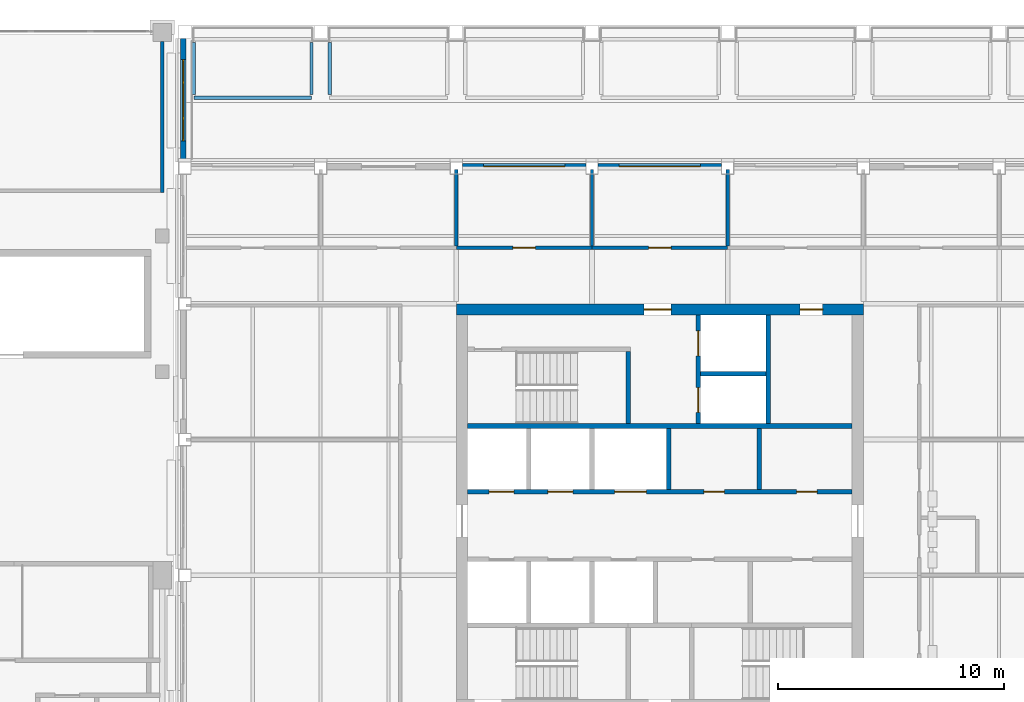
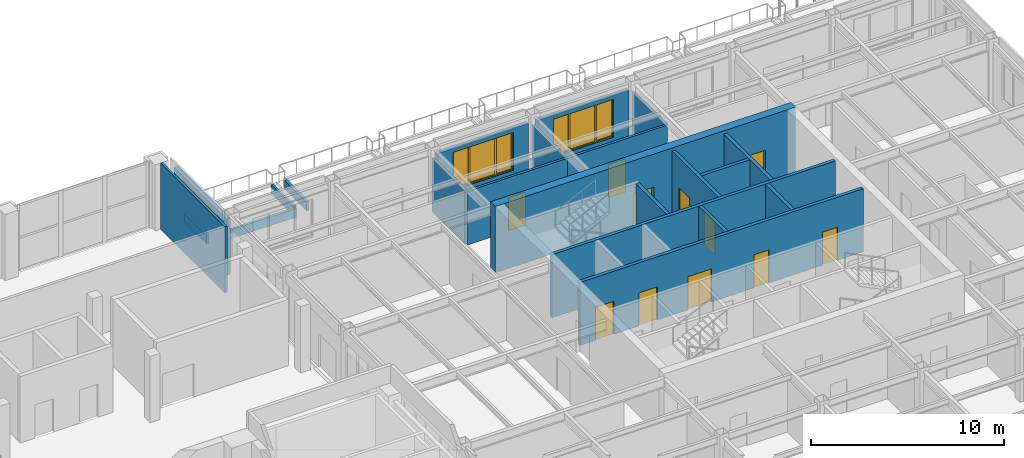
# One storey, part 25 of 39: 22 walls, 11 doors, 3 windows, 14 openings.
"""IFC4 building model written with IfcOpenShell, lengths in metres."""

import ifcopenshell
import ifcopenshell.guid

model = None  # the IFC model being written
_history = None  # IfcOwnerHistory: only IFC2X3 demands one
_inside = {}  # id of a spatial element -> (the spatial element, [elements in it])
_under = {}  # id of a project, library or spatial element -> (it, [spatial elements below it])
_declared = {}  # id of a project -> (the project, [libraries it declares])
_typed = {}  # id of a type object -> (the type object, [elements of that type])
_made_of = {}  # id of a material, layer set ... -> (it, [elements and type objects made of it])


def new_model(schema):
    """Start an empty IFC model of exactly this schema.

    Asked for "IFC4X3", IfcOpenShell would pick the latest addendum, in which some entities
    have other attributes; the version numbers below select the first issue.
    IFC2X3 requires an IfcOwnerHistory on every rooted entity: one is made here for all.
    """
    global model, _history
    if schema == "IFC4X3":
        model = ifcopenshell.file(schema_version=(4, 3, 0, 0))
    else:
        model = ifcopenshell.file(schema=schema)
    _inside.clear()
    _under.clear()
    _declared.clear()
    _typed.clear()
    _made_of.clear()
    _history = None
    if model.schema == "IFC2X3":
        org = make("IfcOrganization", Name="unknown")
        user = make(
            "IfcPersonAndOrganization",
            ThePerson=make("IfcPerson", FamilyName="unknown"),
            TheOrganization=org,
        )
        app = make(
            "IfcApplication",
            ApplicationDeveloper=org,
            Version="unknown",
            ApplicationFullName="unknown",
            ApplicationIdentifier="unknown",
        )
        _history = make(
            "IfcOwnerHistory",
            OwningUser=user,
            OwningApplication=app,
            ChangeAction="ADDED",
            CreationDate=0,
        )
    return model


def make(cls, **values):
    """One entity of the class cls with the attributes given. An attribute that is None is left unset."""
    return model.create_entity(
        cls, **{name: value for name, value in values.items() if value is not None}
    )


def rooted(cls, **values):
    """An entity with a GlobalId (a new one), such as an element, a storey or a relation."""
    return make(cls, GlobalId=ifcopenshell.guid.new(), OwnerHistory=_history, **values)


def si_unit(unit_type, name, prefix=None):
    """IfcSIUnit, for example si_unit("LENGTHUNIT", "METRE", prefix="MILLI")."""
    return make("IfcSIUnit", UnitType=unit_type, Prefix=prefix, Name=name)


def assignment(units):
    """IfcUnitAssignment: the units of a project."""
    return None if units is None else make("IfcUnitAssignment", Units=units)


def point(xyz):
    """IfcCartesianPoint."""
    return None if xyz is None else make("IfcCartesianPoint", Coordinates=xyz)


def direction(xyz):
    """IfcDirection."""
    return None if xyz is None else make("IfcDirection", DirectionRatios=xyz)


def frame(location, z_axis=None, x_axis=None):
    """IfcAxis2Placement3D, a coordinate frame: its origin and axes. An axis left out is left unset."""
    return make(
        "IfcAxis2Placement3D",
        Location=point(location),
        Axis=direction(z_axis),
        RefDirection=direction(x_axis),
    )


def frame_2d(location, x_axis=None):
    """IfcAxis2Placement2D, a coordinate frame in the plane: its origin and x axis."""
    return make(
        "IfcAxis2Placement2D", Location=point(location), RefDirection=direction(x_axis)
    )


def origin():
    """The frame at (0, 0, 0) with its axes left unset."""
    return frame((0.0, 0.0, 0.0))


def place(relative_to, where):
    """IfcLocalPlacement: puts the frame where relative to a parent placement (None: the world)."""
    return make(
        "IfcLocalPlacement", PlacementRelTo=relative_to, RelativePlacement=where
    )


def context(
    kind, dimensions, precision=None, world=None, true_north=None, identifier=None
):
    """IfcGeometricRepresentationContext, for example the 3D "Model" context."""
    return make(
        "IfcGeometricRepresentationContext",
        ContextIdentifier=identifier,
        ContextType=kind,
        CoordinateSpaceDimension=dimensions,
        Precision=precision,
        WorldCoordinateSystem=world,
        TrueNorth=true_north,
    )


def subcontext(parent, identifier, kind, view, scale=None):
    """IfcGeometricRepresentationSubContext, for example "Body" below "Model"."""
    return make(
        "IfcGeometricRepresentationSubContext",
        ContextIdentifier=identifier,
        ContextType=kind,
        ParentContext=parent,
        TargetScale=scale,
        TargetView=view,
    )


def project(units=None, contexts=None):
    """IfcProject with its units and contexts."""
    return rooted(
        "IfcProject",
        Name="project",
        RepresentationContexts=contexts,
        UnitsInContext=assignment(units),
    )


def spatial(cls, under=None, at=None, **own):
    """A site, building, storey or space (cls), placed at a placement, below another one or the project."""
    s = rooted(cls, ObjectPlacement=at, **own)
    if under is not None:
        _under.setdefault(under.id(), (under, []))[1].append(s)
    return s


def polyline(points):
    """IfcPolyline through the points."""
    return make("IfcPolyline", Points=[point(p) for p in points])


def profile(cls, at=None, kind="AREA", **sizes):
    """A parametric profile (cls). Its sizes go by their IFC names, for example OverallWidth=200.0."""
    return make(cls, ProfileType=kind, Position=at, **sizes)


def rectangle(**sizes):
    """IfcRectangleProfileDef."""
    return profile("IfcRectangleProfileDef", **sizes)


def outline(outer, holes=None, kind="AREA"):
    """IfcArbitraryClosedProfileDef: a profile drawn as a closed curve; with holes, ...WithVoids."""
    if holes is None:
        return make("IfcArbitraryClosedProfileDef", ProfileType=kind, OuterCurve=outer)
    return make(
        "IfcArbitraryProfileDefWithVoids",
        ProfileType=kind,
        OuterCurve=outer,
        InnerCurves=holes,
    )


def extrude(swept, where, along, depth):
    """IfcExtrudedAreaSolid: the profile swept, set in the frame where, extruded along a direction by depth."""
    return make(
        "IfcExtrudedAreaSolid",
        SweptArea=swept,
        Position=where,
        ExtrudedDirection=direction(along),
        Depth=depth,
    )


def shape(context_of_items, identifier, shape_type, items):
    """IfcShapeRepresentation: the items that make up one representation, for example the "Body"."""
    return make(
        "IfcShapeRepresentation",
        ContextOfItems=context_of_items,
        RepresentationIdentifier=identifier,
        RepresentationType=shape_type,
        Items=items,
    )


def material(Name=None, Category=None):
    """IfcMaterial."""
    return make("IfcMaterial", Name=Name, Category=Category)


def layer(
    of_material, thickness, ventilated=None, Name=None, Category=None, Priority=None
):
    """IfcMaterialLayer: one layer of a wall or slab, of a material (None: an air gap)."""
    return make(
        "IfcMaterialLayer",
        Material=of_material,
        LayerThickness=thickness,
        IsVentilated=ventilated,
        Name=Name,
        Category=Category,
        Priority=Priority,
    )


def layer_set(layers, Name=None):
    """IfcMaterialLayerSet."""
    return make("IfcMaterialLayerSet", MaterialLayers=layers, LayerSetName=Name)


def made_of(thing, what):
    """Note that an element or type object is made of a material, layer set ...; save() writes the relation."""
    if what is not None:
        _made_of.setdefault(what.id(), (what, []))[1].append(thing)
    return thing


def type_object(cls, material=None, **own):
    """A type object (cls), such as IfcWallType, which elements share."""
    return made_of(rooted(cls, **own), material)


def element(
    cls,
    number,
    at=None,
    inside=None,
    cuts=None,
    type_object=None,
    material=None,
    context=None,
    identifier="Body",
    shape_type=None,
    held_by="IfcProductDefinitionShape",
    body=None,
    shapes=None,
    **own,
):
    """One element of the class cls, such as IfcWall. Its Tag is "e" and its number.

    at: its placement. inside: the storey or other place that contains it. cuts: it is an
    opening in that element (IfcRelVoidsElement). A single representation is given by context,
    identifier, shape_type and body (its items); several are given by shapes. held_by: the class
    of the entity that holds the representations. save() writes the other relations.
    """
    e = rooted(cls, Tag="e%d" % number, ObjectPlacement=at, **own)
    if body is not None:
        shapes = [shape(context, identifier, shape_type, body)]
    if shapes is not None:
        e.Representation = make(held_by, Representations=shapes)
    if inside is not None:
        _inside.setdefault(inside.id(), (inside, []))[1].append(e)
    if cuts is not None:
        rooted(
            "IfcRelVoidsElement", RelatingBuildingElement=cuts, RelatedOpeningElement=e
        )
    if type_object is not None:
        _typed.setdefault(type_object.id(), (type_object, []))[1].append(e)
    return made_of(e, material)


def fill(opening, filler):
    """IfcRelFillsElement: the door or window that sits in an opening."""
    return rooted(
        "IfcRelFillsElement",
        RelatingOpeningElement=opening,
        RelatedBuildingElement=filler,
    )


def aggregate(whole, parts):
    """IfcRelAggregates: a whole, such as a stair, and the parts it consists of."""
    return rooted("IfcRelAggregates", RelatingObject=whole, RelatedObjects=parts)


def save(model, path):
    """Write the relations noted so far, then the file.

    IfcRelAggregates (storeys below a building ...), IfcRelContainedInSpatialStructure (elements
    in a storey), IfcRelDefinesByType, IfcRelAssociatesMaterial and IfcRelDeclares: one each for
    every whole, place, type object, material and project.
    """
    for whole, parts in _under.values():
        aggregate(whole, parts)
    for where, things in _inside.values():
        rooted(
            "IfcRelContainedInSpatialStructure",
            RelatedElements=things,
            RelatingStructure=where,
        )
    for kind, things in _typed.values():
        rooted("IfcRelDefinesByType", RelatedObjects=things, RelatingType=kind)
    for what, things in _made_of.values():
        rooted("IfcRelAssociatesMaterial", RelatedObjects=things, RelatingMaterial=what)
    for by, libraries in _declared.values():
        rooted("IfcRelDeclares", RelatingContext=by, RelatedDefinitions=libraries)
    model.write(path)


model = new_model("IFC4")

# Units and contexts
model_context = context("Model", 3, precision=1e-05, world=origin(), true_north=direction((0.0, 1.0)))
body_context = subcontext(model_context, "Body", "Model", "MODEL_VIEW")
ifc_project = project(units=[si_unit("LENGTHUNIT", "METRE"), si_unit("AREAUNIT", "SQUARE_METRE"), si_unit("VOLUMEUNIT", "CUBIC_METRE"), si_unit("PLANEANGLEUNIT", "RADIAN"), si_unit("MASSUNIT", "GRAM", prefix="KILO")], contexts=[model_context])

# Site, building, storey
site_placement = place(None, origin())
site = spatial("IfcSite", under=ifc_project, at=site_placement, CompositionType="ELEMENT")
building_placement = place(site_placement, origin())
building = spatial("IfcBuilding", under=site, at=building_placement, Name="Aravalli Gate Trade Fair Centre", CompositionType="ELEMENT")
storey_placement = place(building_placement, frame((0.0, 0.0, 15.0)))
storey = spatial("IfcBuildingStorey", under=building, at=storey_placement, Name="L03", CompositionType="ELEMENT", Elevation=15.0)

# Walls
ifc_material_1 = material(Name="Gypsum board")
ifc_layer_1 = layer(ifc_material_1, 0.02490234375, Name="Gypsum board lining")
ifc_material_2 = material(Name="Galvanised stud framing")
ifc_layer_2 = layer(ifc_material_2, 0.10009765625, Name="Stud framing")
ifc_layer_3 = layer(ifc_material_1, 0.02490234375, Name="Gypsum board lining")
ifc_layer_set_1 = layer_set([ifc_layer_1, ifc_layer_2, ifc_layer_3], Name="Partition wall 150")
wall_type_1 = type_object("IfcWallType", Name="Partition wall 150", PredefinedType="PARTITIONING", material=ifc_layer_set_1)
wall_1_placement = place(storey_placement, frame((159.0, 125.925048828125, 0.0), z_axis=(0.0, 0.0, 1.0), x_axis=(0.0, 1.0, 0.0)))
element("IfcWall", 1, at=wall_1_placement, inside=storey, type_object=wall_type_1, Name="Partition 15900 L03", PredefinedType="PARTITIONING", context=body_context, shape_type="SweptSolid", body=[
    extrude(rectangle(XDim=6.675048828125, YDim=0.14990234375, at=frame_2d((3.33740234375, 0.0))), origin(), (0.0, 0.0, 1.0), 4.199951171875),
])
ifc_material_3 = material(Name="Concrete M30", Category="concrete")
ifc_layer_4 = layer(ifc_material_3, 0.199951171875)
ifc_layer_set_2 = layer_set([ifc_layer_4], Name="Concrete M30")
wall_type_2 = type_object("IfcWallType", Name="Wing core internal wall 200 (EI 120, core wall)", PredefinedType="SOLIDWALL", material=ifc_layer_set_2)
wall_2_placement = place(storey_placement, frame((172.5, 115.60009765625, 0.0), z_axis=(0.0, 0.0, 1.0), x_axis=(1.0, 0.0, 0.0)))
element("IfcWall", 2, at=wall_2_placement, inside=storey, type_object=wall_type_2, Name="Core wall N-REAR L03", PredefinedType="SOLIDWALL", context=body_context, shape_type="SweptSolid", body=[
    extrude(rectangle(XDim=17.0, YDim=0.199951171875, at=frame_2d((8.5, 0.0))), origin(), (0.0, 0.0, 1.0), 4.0),
])
ifc_layer_5 = layer(ifc_material_3, 0.199951171875)
ifc_layer_set_3 = layer_set([ifc_layer_5], Name="Concrete M30")
wall_type_3 = type_object("IfcWallType", Name="Wing core internal wall 200 (EI 120, firefighting shaft)", PredefinedType="SOLIDWALL", material=ifc_layer_set_3)
wall_3_placement = place(storey_placement, frame((179.60009765625, 115.699951171875, 0.0), z_axis=(0.0, 0.0, 1.0), x_axis=(0.0, 1.0, 0.0)))
element("IfcWall", 3, at=wall_3_placement, inside=storey, type_object=wall_type_3, Name="Core wall FF-AB L03", PredefinedType="SOLIDWALL", context=body_context, shape_type="SweptSolid", body=[
    extrude(rectangle(XDim=3.199951171875, YDim=0.199951171875, at=frame_2d((1.60009765625, 0.0))), origin(), (0.0, 0.0, 1.0), 4.0),
])

# Wall, openings, doors
wall_4_placement = place(storey_placement, frame((182.699951171875, 115.699951171875, 0.0), z_axis=(0.0, 0.0, 1.0), x_axis=(0.0, 1.0, 0.0)))
wall_4 = element("IfcWall", 4, at=wall_4_placement, inside=storey, type_object=wall_type_3, Name="Core wall FF-BC L03", PredefinedType="SOLIDWALL", context=body_context, shape_type="SweptSolid", body=[
    extrude(rectangle(XDim=4.800048828125, YDim=0.199951171875, at=frame_2d((2.39990234375, 0.0))), origin(), (0.0, 0.0, 1.0), 4.0),
])
opening_1_placement = place(wall_4_placement, frame((0.5, 0.0, 0.0)))
opening_1 = element("IfcOpeningElement", 5, at=opening_1_placement, cuts=wall_4, Name="Opening T-L03-132", PredefinedType="OPENING", context=body_context, shape_type="SweptSolid", body=[
    extrude(rectangle(XDim=1.10009765625, YDim=2.10009765625, at=frame_2d((0.550048828125, 1.050048828125))), frame((0.0, 0.10986328125, 0.0), z_axis=(0.0, -1.0, 0.0), x_axis=(1.0, 0.0, 0.0)), (0.0, 0.0, 1.0), 0.219970703125),
])
opening_2_placement = place(wall_4_placement, frame((3.0, 0.0, 0.0)))
opening_2 = element("IfcOpeningElement", 6, at=opening_2_placement, cuts=wall_4, Name="Opening T-L03-133", PredefinedType="OPENING", context=body_context, shape_type="SweptSolid", body=[
    extrude(rectangle(XDim=1.10009765625, YDim=2.10009765625, at=frame_2d((0.550048828125, 1.050048828125))), frame((0.0, 0.10986328125, 0.0), z_axis=(0.0, -1.0, 0.0), x_axis=(1.0, 0.0, 0.0)), (0.0, 0.0, 1.0), 0.219970703125),
])
ifc_material_4 = material(Name="Elevator door panels")
door_type_1 = type_object("IfcDoorType", Name="Wing lift landing door 1100 x 2100", OperationType="SLIDING_TO_LEFT", PredefinedType="DOOR", material=ifc_material_4)
door_1_placement = place(opening_1_placement, origin())
door_1 = element("IfcDoor", 7, at=door_1_placement, inside=storey, type_object=door_type_1, Name="Landing door T-L03-132", OperationType="SLIDING_TO_LEFT", OverallHeight=2.10009765625, OverallWidth=1.10009765625, PredefinedType="DOOR", context=body_context, shape_type="SweptSolid", body=[
    extrude(rectangle(XDim=1.10009765625, YDim=2.10009765625, at=frame_2d((0.550048828125, 1.050048828125))), frame((0.0, 0.02490234375, 0.0), z_axis=(0.0, -1.0, 0.0), x_axis=(1.0, 0.0, 0.0)), (0.0, 0.0, 1.0), 0.050048828125),
])
fill(opening_1, door_1)
door_2_placement = place(opening_2_placement, origin())
door_2 = element("IfcDoor", 8, at=door_2_placement, inside=storey, type_object=door_type_1, Name="Landing door T-L03-133", OperationType="SLIDING_TO_LEFT", OverallHeight=2.10009765625, OverallWidth=1.10009765625, PredefinedType="DOOR", context=body_context, shape_type="SweptSolid", body=[
    extrude(rectangle(XDim=1.10009765625, YDim=2.10009765625, at=frame_2d((0.550048828125, 1.050048828125))), frame((0.0, 0.02490234375, 0.0), z_axis=(0.0, -1.0, 0.0), x_axis=(1.0, 0.0, 0.0)), (0.0, 0.0, 1.0), 0.050048828125),
])
fill(opening_2, door_2)

# Walls
wall_5_placement = place(storey_placement, frame((182.800048828125, 117.89990234375, 0.0), z_axis=(0.0, 0.0, 1.0), x_axis=(1.0, 0.0, 0.0)))
element("IfcWall", 9, at=wall_5_placement, inside=storey, type_object=wall_type_3, Name="Core wall FF-MID L03", PredefinedType="SOLIDWALL", context=body_context, shape_type="SweptSolid", body=[
    extrude(rectangle(XDim=2.89990234375, YDim=0.199951171875, at=frame_2d((1.449951171875, 0.0))), origin(), (0.0, 0.0, 1.0), 4.0),
])
wall_6_placement = place(storey_placement, frame((185.800048828125, 115.699951171875, 0.0), z_axis=(0.0, 0.0, 1.0), x_axis=(0.0, 1.0, 0.0)))
element("IfcWall", 10, at=wall_6_placement, inside=storey, type_object=wall_type_3, Name="Core wall FF-CD L03", PredefinedType="SOLIDWALL", context=body_context, shape_type="SweptSolid", body=[
    extrude(rectangle(XDim=4.800048828125, YDim=0.199951171875, at=frame_2d((2.39990234375, 0.0))), origin(), (0.0, 0.0, 1.0), 4.0),
])
ifc_layer_6 = layer(ifc_material_3, 0.199951171875)
ifc_layer_set_4 = layer_set([ifc_layer_6], Name="Concrete M30")
wall_type_4 = type_object("IfcWallType", Name="Wing core internal wall 200 (EI 120, lift shaft)", PredefinedType="SOLIDWALL", material=ifc_layer_set_4)
wall_7_placement = place(storey_placement, frame((181.39990234375, 112.800048828125, 0.0), z_axis=(0.0, 0.0, 1.0), x_axis=(0.0, 1.0, 0.0)))
element("IfcWall", 11, at=wall_7_placement, inside=storey, type_object=wall_type_4, Name="Core wall NB-9 L03", PredefinedType="SOLIDWALL", context=body_context, shape_type="SweptSolid", body=[
    extrude(rectangle(XDim=2.699951171875, YDim=0.199951171875, at=frame_2d((1.35009765625, 0.0))), origin(), (0.0, 0.0, 1.0), 4.0),
])

# Wall, openings, doors
wall_8_placement = place(storey_placement, frame((172.5, 112.699951171875, 0.0), z_axis=(0.0, 0.0, 1.0), x_axis=(1.0, 0.0, 0.0)))
wall_8 = element("IfcWall", 12, at=wall_8_placement, inside=storey, type_object=wall_type_4, Name="Core wall N-FRONT L03", PredefinedType="SOLIDWALL", context=body_context, shape_type="SweptSolid", body=[
    extrude(rectangle(XDim=17.0, YDim=0.199951171875, at=frame_2d((8.5, 0.0))), origin(), (0.0, 0.0, 1.0), 4.0),
])
opening_3_placement = place(wall_8_placement, frame((0.949951171875, 0.0, 0.0)))
opening_3 = element("IfcOpeningElement", 13, at=opening_3_placement, cuts=wall_8, Name="Opening T-L03-121", PredefinedType="OPENING", context=body_context, shape_type="SweptSolid", body=[
    extrude(rectangle(XDim=1.10009765625, YDim=2.10009765625, at=frame_2d((0.550048828125, 1.050048828125))), frame((0.0, 0.10986328125, 0.0), z_axis=(0.0, -1.0, 0.0), x_axis=(1.0, 0.0, 0.0)), (0.0, 0.0, 1.0), 0.219970703125),
])
opening_4_placement = place(wall_8_placement, frame((3.550048828125, 0.0, 0.0)))
opening_4 = element("IfcOpeningElement", 14, at=opening_4_placement, cuts=wall_8, Name="Opening T-L03-122", PredefinedType="OPENING", context=body_context, shape_type="SweptSolid", body=[
    extrude(rectangle(XDim=1.10009765625, YDim=2.10009765625, at=frame_2d((0.550048828125, 1.050048828125))), frame((0.0, 0.10986328125, 0.0), z_axis=(0.0, -1.0, 0.0), x_axis=(1.0, 0.0, 0.0)), (0.0, 0.0, 1.0), 0.219970703125),
])
opening_5_placement = place(wall_8_placement, frame((6.5, 0.0, 0.0)))
opening_5 = element("IfcOpeningElement", 15, at=opening_5_placement, cuts=wall_8, Name="Opening T-L03-123", PredefinedType="OPENING", context=body_context, shape_type="SweptSolid", body=[
    extrude(rectangle(XDim=1.39990234375, YDim=2.10009765625, at=frame_2d((0.699951171875, 1.050048828125))), frame((0.0, 0.10986328125, 0.0), z_axis=(0.0, -1.0, 0.0), x_axis=(1.0, 0.0, 0.0)), (0.0, 0.0, 1.0), 0.219970703125),
])
opening_6_placement = place(wall_8_placement, frame((10.449951171875, 0.0, 0.0)))
opening_6 = element("IfcOpeningElement", 16, at=opening_6_placement, cuts=wall_8, Name="Opening T-L03-124", PredefinedType="OPENING", context=body_context, shape_type="SweptSolid", body=[
    extrude(rectangle(XDim=0.89990234375, YDim=2.10009765625, at=frame_2d((0.449951171875, 1.050048828125))), frame((0.0, 0.10986328125, 0.0), z_axis=(0.0, -1.0, 0.0), x_axis=(1.0, 0.0, 0.0)), (0.0, 0.0, 1.0), 0.219970703125),
])
opening_7_placement = place(wall_8_placement, frame((14.550048828125, 0.0, 0.0)))
opening_7 = element("IfcOpeningElement", 17, at=opening_7_placement, cuts=wall_8, Name="Opening T-L03-125", PredefinedType="OPENING", context=body_context, shape_type="SweptSolid", body=[
    extrude(rectangle(XDim=0.89990234375, YDim=2.10009765625, at=frame_2d((0.449951171875, 1.050048828125))), frame((0.0, 0.10986328125, 0.0), z_axis=(0.0, -1.0, 0.0), x_axis=(1.0, 0.0, 0.0)), (0.0, 0.0, 1.0), 0.219970703125),
])
ifc_material_5 = material(Name="Steel, fire rated", Category="steel")
door_type_2 = type_object("IfcDoorType", Name="Wing fire door FD120 900 x 2100", OperationType="SINGLE_SWING_LEFT", PredefinedType="DOOR", material=ifc_material_5)
door_3_placement = place(opening_6_placement, origin())
door_3 = element("IfcDoor", 18, at=door_3_placement, inside=storey, type_object=door_type_2, Name="Core door T-L03-124", OperationType="SINGLE_SWING_LEFT", OverallHeight=2.10009765625, OverallWidth=0.89990234375, PredefinedType="DOOR", context=body_context, shape_type="SweptSolid", body=[
    extrude(rectangle(XDim=0.89990234375, YDim=2.10009765625, at=frame_2d((0.449951171875, 1.050048828125))), frame((0.0, 0.02490234375, 0.0), z_axis=(0.0, -1.0, 0.0), x_axis=(1.0, 0.0, 0.0)), (0.0, 0.0, 1.0), 0.050048828125),
])
fill(opening_6, door_3)
door_4_placement = place(opening_7_placement, origin())
door_4 = element("IfcDoor", 19, at=door_4_placement, inside=storey, type_object=door_type_2, Name="Core door T-L03-125", OperationType="SINGLE_SWING_RIGHT", OverallHeight=2.10009765625, OverallWidth=0.89990234375, PredefinedType="DOOR", context=body_context, shape_type="SweptSolid", body=[
    extrude(rectangle(XDim=0.89990234375, YDim=2.10009765625, at=frame_2d((0.449951171875, 1.050048828125))), frame((0.0, 0.02490234375, 0.0), z_axis=(0.0, -1.0, 0.0), x_axis=(1.0, 0.0, 0.0)), (0.0, 0.0, 1.0), 0.050048828125),
])
fill(opening_7, door_4)
door_5_placement = place(opening_3_placement, origin())
door_5 = element("IfcDoor", 20, at=door_5_placement, inside=storey, type_object=door_type_1, Name="Landing door T-L03-121", OperationType="SLIDING_TO_LEFT", OverallHeight=2.10009765625, OverallWidth=1.10009765625, PredefinedType="DOOR", context=body_context, shape_type="SweptSolid", body=[
    extrude(rectangle(XDim=1.10009765625, YDim=2.10009765625, at=frame_2d((0.550048828125, 1.050048828125))), frame((0.0, 0.02490234375, 0.0), z_axis=(0.0, -1.0, 0.0), x_axis=(1.0, 0.0, 0.0)), (0.0, 0.0, 1.0), 0.050048828125),
])
fill(opening_3, door_5)
door_6_placement = place(opening_4_placement, origin())
door_6 = element("IfcDoor", 21, at=door_6_placement, inside=storey, type_object=door_type_1, Name="Landing door T-L03-122", OperationType="SLIDING_TO_LEFT", OverallHeight=2.10009765625, OverallWidth=1.10009765625, PredefinedType="DOOR", context=body_context, shape_type="SweptSolid", body=[
    extrude(rectangle(XDim=1.10009765625, YDim=2.10009765625, at=frame_2d((0.550048828125, 1.050048828125))), frame((0.0, 0.02490234375, 0.0), z_axis=(0.0, -1.0, 0.0), x_axis=(1.0, 0.0, 0.0)), (0.0, 0.0, 1.0), 0.050048828125),
])
fill(opening_4, door_6)
door_type_3 = type_object("IfcDoorType", Name="Wing lift landing door 1400 x 2100", OperationType="SLIDING_TO_LEFT", PredefinedType="DOOR", material=ifc_material_4)
door_7_placement = place(opening_5_placement, origin())
door_7 = element("IfcDoor", 22, at=door_7_placement, inside=storey, type_object=door_type_3, Name="Landing door T-L03-123", OperationType="SLIDING_TO_LEFT", OverallHeight=2.10009765625, OverallWidth=1.39990234375, PredefinedType="DOOR", context=body_context, shape_type="SweptSolid", body=[
    extrude(rectangle(XDim=1.39990234375, YDim=2.10009765625, at=frame_2d((0.699951171875, 1.050048828125))), frame((0.0, 0.02490234375, 0.0), z_axis=(0.0, -1.0, 0.0), x_axis=(1.0, 0.0, 0.0)), (0.0, 0.0, 1.0), 0.050048828125),
])
fill(opening_5, door_7)

# Wall
ifc_material_6 = material(Name="Concrete block masonry", Category="masonry")
ifc_layer_7 = layer(ifc_material_6, 0.199951171875)
ifc_layer_set_5 = layer_set([ifc_layer_7], Name="Concrete block masonry")
wall_type_5 = type_object("IfcWallType", Name="Wing core internal wall 200 (EI 120, riser shaft)", PredefinedType="SOLIDWALL", material=ifc_layer_set_5)
wall_9_placement = place(storey_placement, frame((185.39990234375, 112.800048828125, 0.0), z_axis=(0.0, 0.0, 1.0), x_axis=(0.0, 1.0, 0.0)))
element("IfcWall", 23, at=wall_9_placement, inside=storey, type_object=wall_type_5, Name="Core wall NB-13 L03", PredefinedType="SOLIDWALL", context=body_context, shape_type="SweptSolid", body=[
    extrude(rectangle(XDim=2.699951171875, YDim=0.199951171875, at=frame_2d((1.35009765625, 0.0))), origin(), (0.0, 0.0, 1.0), 4.0),
])

# Wall, openings, doors
ifc_material_7 = material(Name="Concrete M50", Category="concrete")
ifc_layer_8 = layer(ifc_material_7, 0.5)
ifc_layer_set_6 = layer_set([ifc_layer_8], Name="Concrete M50")
wall_type_6 = type_object("IfcWallType", Name="Wing core shear wall 500", PredefinedType="SHEAR", material=ifc_layer_set_6)
wall_10_placement = place(storey_placement, frame((172.0, 120.75, 0.0), z_axis=(0.0, 0.0, 1.0), x_axis=(1.0, 0.0, 0.0)))
wall_10 = element("IfcWall", 24, at=wall_10_placement, inside=storey, type_object=wall_type_6, Name="Core wall N L03", PredefinedType="SHEAR", context=body_context, shape_type="SweptSolid", body=[
    extrude(rectangle(XDim=18.0, YDim=0.5, at=frame_2d((9.0, 0.0))), origin(), (0.0, 0.0, 1.0), 4.199951171875),
])
opening_8_placement = place(wall_10_placement, frame((8.300048828125, 0.0, 0.0)))
opening_8 = element("IfcOpeningElement", 25, at=opening_8_placement, cuts=wall_10, Name="Opening T-L03-104", PredefinedType="OPENING", context=body_context, shape_type="SweptSolid", body=[
    extrude(rectangle(XDim=1.199951171875, YDim=2.10009765625, at=frame_2d((0.60009765625, 1.050048828125))), frame((0.0, 0.260009765625, 0.0), z_axis=(0.0, -1.0, 0.0), x_axis=(1.0, 0.0, 0.0)), (0.0, 0.0, 1.0), 0.52001953125),
])
opening_9_placement = place(wall_10_placement, frame((15.199951171875, 0.0, 0.0)))
opening_9 = element("IfcOpeningElement", 26, at=opening_9_placement, cuts=wall_10, Name="Opening T-L03-105", PredefinedType="OPENING", context=body_context, shape_type="SweptSolid", body=[
    extrude(rectangle(XDim=1.0, YDim=2.10009765625, at=frame_2d((0.5, 1.050048828125))), frame((0.0, 0.260009765625, 0.0), z_axis=(0.0, -1.0, 0.0), x_axis=(1.0, 0.0, 0.0)), (0.0, 0.0, 1.0), 0.52001953125),
])
door_type_4 = type_object("IfcDoorType", Name="Wing fire door FD120 1000 x 2100", OperationType="SINGLE_SWING_LEFT", PredefinedType="DOOR", material=ifc_material_5)
door_8_placement = place(opening_9_placement, frame((1.0, 0.0, 0.0), z_axis=(0.0, 0.0, 1.0), x_axis=(-1.0, 0.0, 0.0)))
door_8 = element("IfcDoor", 27, at=door_8_placement, inside=storey, type_object=door_type_4, Name="Core door T-L03-105", OperationType="SINGLE_SWING_LEFT", OverallHeight=2.10009765625, OverallWidth=1.0, PredefinedType="DOOR", context=body_context, shape_type="SweptSolid", body=[
    extrude(rectangle(XDim=1.0, YDim=2.10009765625, at=frame_2d((0.5, 1.050048828125))), frame((0.0, 0.02490234375, 0.0), z_axis=(0.0, -1.0, 0.0), x_axis=(1.0, 0.0, 0.0)), (0.0, 0.0, 1.0), 0.050048828125),
])
fill(opening_9, door_8)
door_type_5 = type_object("IfcDoorType", Name="Wing fire door FD120 1200 x 2100", OperationType="SINGLE_SWING_LEFT", PredefinedType="DOOR", material=ifc_material_5)
door_9_placement = place(opening_8_placement, frame((1.199951171875, 0.0, 0.0), z_axis=(0.0, 0.0, 1.0), x_axis=(-1.0, 0.0, 0.0)))
door_9 = element("IfcDoor", 28, at=door_9_placement, inside=storey, type_object=door_type_5, Name="Core door T-L03-104", OperationType="SINGLE_SWING_LEFT", OverallHeight=2.10009765625, OverallWidth=1.199951171875, PredefinedType="DOOR", context=body_context, shape_type="SweptSolid", body=[
    extrude(rectangle(XDim=1.199951171875, YDim=2.10009765625, at=frame_2d((0.60009765625, 1.050048828125))), frame((0.0, 0.02490234375, 0.0), z_axis=(0.0, -1.0, 0.0), x_axis=(1.0, 0.0, 0.0)), (0.0, 0.0, 1.0), 0.050048828125),
])
fill(opening_8, door_9)

# Wall
ifc_material_8 = material(Name="Blockwork with fire-rated lining", Category="masonry")
ifc_layer_9 = layer(ifc_material_8, 0.14990234375)
ifc_layer_set_7 = layer_set([ifc_layer_9], Name="Blockwork with fire-rated lining")
wall_type_7 = type_object("IfcWallType", Name="Wing partition 150 (EI 120, plant room)", PredefinedType="PARTITIONING", material=ifc_layer_set_7)
wall_11_placement = place(storey_placement, frame((178.0, 123.550048828125, 0.0), z_axis=(0.0, 0.0, 1.0), x_axis=(0.0, 1.0, 0.0)))
element("IfcWall", 29, at=wall_11_placement, inside=storey, type_object=wall_type_7, Name="Partition NP3 L03", PredefinedType="PARTITIONING", context=body_context, shape_type="SweptSolid", body=[
    extrude(rectangle(XDim=3.39990234375, YDim=0.14990234375, at=frame_2d((1.699951171875, 0.0))), origin(), (0.0, 0.0, 1.0), 3.39990234375),
])

# Wall, opening, door
wall_12_placement = place(storey_placement, frame((178.0, 123.47509765625, 0.0), z_axis=(0.0, 0.0, 1.0), x_axis=(1.0, 0.0, 0.0)))
wall_12 = element("IfcWall", 30, at=wall_12_placement, inside=storey, type_object=wall_type_7, Name="Partition NW4 L03", PredefinedType="PARTITIONING", context=body_context, shape_type="SweptSolid", body=[
    extrude(rectangle(XDim=6.0, YDim=0.14990234375, at=frame_2d((3.0, 0.0))), origin(), (0.0, 0.0, 1.0), 3.39990234375),
])
opening_10_placement = place(wall_12_placement, frame((2.5, 0.0, 0.0)))
opening_10 = element("IfcOpeningElement", 31, at=opening_10_placement, cuts=wall_12, Name="Opening T-L03-149", PredefinedType="OPENING", context=body_context, shape_type="SweptSolid", body=[
    extrude(rectangle(XDim=1.0, YDim=2.10009765625, at=frame_2d((0.5, 1.050048828125))), frame((0.0, 0.0849609375, 0.0), z_axis=(0.0, -1.0, 0.0), x_axis=(1.0, 0.0, 0.0)), (0.0, 0.0, 1.0), 0.169921875),
])
door_10_placement = place(opening_10_placement, origin())
door_10 = element("IfcDoor", 32, at=door_10_placement, inside=storey, type_object=door_type_4, Name="Door T-L03-149", OperationType="SINGLE_SWING_LEFT", OverallHeight=2.10009765625, OverallWidth=1.0, PredefinedType="DOOR", context=body_context, shape_type="SweptSolid", body=[
    extrude(rectangle(XDim=1.0, YDim=2.10009765625, at=frame_2d((0.5, 1.050048828125))), frame((0.0, 0.02490234375, 0.0), z_axis=(0.0, -1.0, 0.0), x_axis=(1.0, 0.0, 0.0)), (0.0, 0.0, 1.0), 0.050048828125),
])
fill(opening_10, door_10)

# Walls
wall_13_placement = place(storey_placement, frame((184.0, 123.550048828125, 0.0), z_axis=(0.0, 0.0, 1.0), x_axis=(0.0, 1.0, 0.0)))
element("IfcWall", 33, at=wall_13_placement, inside=storey, type_object=wall_type_7, Name="Partition NP4 L03", PredefinedType="PARTITIONING", context=body_context, shape_type="SweptSolid", body=[
    extrude(rectangle(XDim=3.39990234375, YDim=0.14990234375, at=frame_2d((1.699951171875, 0.0))), origin(), (0.0, 0.0, 1.0), 3.39990234375),
])
ifc_layer_10 = layer(ifc_material_8, 0.14990234375)
ifc_layer_set_8 = layer_set([ifc_layer_10], Name="Blockwork with fire-rated lining")
wall_type_8 = type_object("IfcWallType", Name="Wing partition 150 (EI 60, corridor wall)", PredefinedType="PARTITIONING", material=ifc_layer_set_8)
wall_14_placement = place(storey_placement, frame((172.0, 123.550048828125, 0.0), z_axis=(0.0, 0.0, 1.0), x_axis=(0.0, 1.0, 0.0)))
element("IfcWall", 34, at=wall_14_placement, inside=storey, type_object=wall_type_8, Name="Partition NP2 L03", PredefinedType="PARTITIONING", context=body_context, shape_type="SweptSolid", body=[
    extrude(rectangle(XDim=3.39990234375, YDim=0.14990234375, at=frame_2d((1.699951171875, 0.0))), origin(), (0.0, 0.0, 1.0), 3.39990234375),
])

# Wall, opening, door
wall_15_placement = place(storey_placement, frame((172.0, 123.47509765625, 0.0), z_axis=(0.0, 0.0, 1.0), x_axis=(1.0, 0.0, 0.0)))
wall_15 = element("IfcWall", 35, at=wall_15_placement, inside=storey, type_object=wall_type_8, Name="Partition NW3 L03", PredefinedType="PARTITIONING", context=body_context, shape_type="SweptSolid", body=[
    extrude(rectangle(XDim=6.0, YDim=0.14990234375, at=frame_2d((3.0, 0.0))), origin(), (0.0, 0.0, 1.0), 3.39990234375),
])
opening_11_placement = place(wall_15_placement, frame((2.5, 0.0, 0.0)))
opening_11 = element("IfcOpeningElement", 36, at=opening_11_placement, cuts=wall_15, Name="Opening T-L03-148", PredefinedType="OPENING", context=body_context, shape_type="SweptSolid", body=[
    extrude(rectangle(XDim=1.0, YDim=2.10009765625, at=frame_2d((0.5, 1.050048828125))), frame((0.0, 0.0849609375, 0.0), z_axis=(0.0, -1.0, 0.0), x_axis=(1.0, 0.0, 0.0)), (0.0, 0.0, 1.0), 0.169921875),
])
door_type_6 = type_object("IfcDoorType", Name="Wing fire door FD60 1000 x 2100", OperationType="SINGLE_SWING_LEFT", PredefinedType="DOOR", material=ifc_material_5)
door_11_placement = place(opening_11_placement, origin())
door_11 = element("IfcDoor", 37, at=door_11_placement, inside=storey, type_object=door_type_6, Name="Door T-L03-148", OperationType="SINGLE_SWING_RIGHT", OverallHeight=2.10009765625, OverallWidth=1.0, PredefinedType="DOOR", context=body_context, shape_type="SweptSolid", body=[
    extrude(rectangle(XDim=1.0, YDim=2.10009765625, at=frame_2d((0.5, 1.050048828125))), frame((0.0, 0.02490234375, 0.0), z_axis=(0.0, -1.0, 0.0), x_axis=(1.0, 0.0, 0.0)), (0.0, 0.0, 1.0), 0.050048828125),
])
fill(opening_11, door_11)

# Walls
ifc_layer_11 = layer(ifc_material_3, 0.14990234375)
ifc_layer_set_9 = layer_set([ifc_layer_11], Name="Concrete M30")
wall_type_9 = type_object("IfcWallType", Name="Wing planter wall 150", PredefinedType="SOLIDWALL", material=ifc_layer_set_9)
wall_16_placement = place(storey_placement, frame((160.39990234375, 130.10498046875, 0.0), z_axis=(0.0, 0.0, 1.0), x_axis=(1.0, 0.0, 0.0)))
element("IfcWall", 38, at=wall_16_placement, inside=storey, type_object=wall_type_9, Name="Planter wall L03 1S", PredefinedType="SOLIDWALL", context=body_context, shape_type="SweptSolid", body=[
    extrude(rectangle(XDim=5.2001953125, YDim=0.14990234375, at=frame_2d((2.60009765625, 0.0))), origin(), (0.0, 0.0, 1.0), 0.550048828125),
])
for number, where, z_axis, x_axis, name in (
    (39, (160.39990234375, 130.2548828125, 0.0), (0.0, 0.0, 1.0), (0.0, 1.0, 0.0), "Planter wall L03 1W"),
    (40, (165.60009765625, 130.2548828125, 0.0), (0.0, 0.0, 1.0), (0.0, 1.0, 0.0), "Planter wall L03 1E"),
    (41, (166.39990234375, 130.2548828125, 0.0), (0.0, 0.0, 1.0), (0.0, 1.0, 0.0), "Planter wall L03 2W"),
):
    element("IfcWall", number, at=place(storey_placement, frame(where, z_axis=z_axis, x_axis=x_axis)), inside=storey, type_object=wall_type_9, Name=name, PredefinedType="SOLIDWALL", context=body_context, shape_type="SweptSolid", body=[
        extrude(rectangle(XDim=2.300048828125, YDim=0.14990234375, at=frame_2d((1.14990234375, 0.0))), origin(), (0.0, 0.0, 1.0), 0.550048828125),
    ])

# Wall, opening, window
ifc_layer_12 = layer(ifc_material_6, 0.2099609375, Name="Block masonry")
ifc_material_9 = material(Name="Terracotta cladding", Category="masonry")
ifc_layer_13 = layer(ifc_material_9, 0.0400390625, Name="Terracotta cladding")
ifc_layer_set_10 = layer_set([ifc_layer_12, ifc_layer_13], Name="Wing terracotta clad infill wall 250")
wall_type_10 = type_object("IfcWallType", Name="Wing terracotta clad infill wall 250", PredefinedType="SOLIDWALL", material=ifc_layer_set_10)
wall_17_placement = place(storey_placement, frame((172.27490234375, 127.074951171875, 0.0), z_axis=(0.0, 0.0, 1.0), x_axis=(1.0, 0.0, 0.0)))
wall_17 = element("IfcWall", 42, at=wall_17_placement, inside=storey, type_object=wall_type_10, Name="Facade wall N2 L03", PredefinedType="SOLIDWALL", context=body_context, shape_type="SweptSolid", body=[
    extrude(rectangle(XDim=5.4501953125, YDim=0.25, at=frame_2d((2.72509765625, 0.0))), origin(), (0.0, 0.0, 1.0), 3.550048828125),
])
opening_12_placement = place(wall_17_placement, frame((0.925048828125, 0.0, 0.89990234375)))
opening_12 = element("IfcOpeningElement", 43, at=opening_12_placement, cuts=wall_17, Name="Opening TWN1", PredefinedType="OPENING", context=body_context, shape_type="SweptSolid", body=[
    extrude(rectangle(XDim=3.60009765625, YDim=2.39990234375, at=frame_2d((1.800048828125, 1.199951171875))), frame((0.0, 0.135009765625, 0.0), z_axis=(0.0, -1.0, 0.0), x_axis=(1.0, 0.0, 0.0)), (0.0, 0.0, 1.0), 0.27001953125),
])
ifc_material_10 = material(Name="Aluminium and glass", Category="aluminium")
window_type = type_object("IfcWindowType", Name="Wing chicago window 3600 x 2400", PartitioningType="TRIPLE_PANEL_VERTICAL", PredefinedType="WINDOW", material=ifc_material_10)
window_1_placement = place(opening_12_placement, origin())
window_1 = element("IfcWindow", 44, at=window_1_placement, inside=storey, type_object=window_type, Name="Window N2 L03", OverallHeight=2.39990234375, OverallWidth=3.60009765625, PartitioningType="TRIPLE_PANEL_VERTICAL", PredefinedType="WINDOW", context=body_context, shape_type="SweptSolid", body=[
    extrude(outline(polyline([(0.0, 0.0), (3.60009765625, 0.0), (3.60009765625, 2.39990234375), (0.0, 2.39990234375), (0.0, 0.0)]), holes=[polyline([(0.06005859375, 0.06005859375), (0.9599609375, 0.06005859375), (0.9599609375, 2.33984375), (0.06005859375, 2.33984375), (0.06005859375, 0.06005859375)]), polyline([(1.06005859375, 0.06005859375), (2.539794921875, 0.06005859375), (2.539794921875, 2.33984375), (1.06005859375, 2.33984375), (1.06005859375, 0.06005859375)]), polyline([(2.639892578125, 0.06005859375), (3.539794921875, 0.06005859375), (3.539794921875, 2.33984375), (2.639892578125, 2.33984375), (2.639892578125, 0.06005859375)])]), frame((0.0, 0.030029296875, 0.0), z_axis=(0.0, -1.0, 0.0), x_axis=(1.0, 0.0, 0.0)), (0.0, 0.0, 1.0), 0.06005859375),
    extrude(rectangle(XDim=0.923828125, YDim=2.3037109375, at=frame_2d((0.510009765625, 1.199951171875))), frame((0.0, 0.010009765625, 0.0), z_axis=(0.0, -1.0, 0.0), x_axis=(1.0, 0.0, 0.0)), (0.0, 0.0, 1.0), 0.02001953125),
    extrude(rectangle(XDim=1.503662109375, YDim=2.3037109375, at=frame_2d((1.7998046875, 1.199951171875))), frame((0.0, 0.010009765625, 0.0), z_axis=(0.0, -1.0, 0.0), x_axis=(1.0, 0.0, 0.0)), (0.0, 0.0, 1.0), 0.02001953125),
    extrude(rectangle(XDim=0.923828125, YDim=2.3037109375, at=frame_2d((3.08984375, 1.199951171875))), frame((0.0, 0.010009765625, 0.0), z_axis=(0.0, -1.0, 0.0), x_axis=(1.0, 0.0, 0.0)), (0.0, 0.0, 1.0), 0.02001953125),
])
fill(opening_12, window_1)

wall_18_placement = place(storey_placement, frame((178.27490234375, 127.074951171875, 0.0), z_axis=(0.0, 0.0, 1.0), x_axis=(1.0, 0.0, 0.0)))
wall_18 = element("IfcWall", 45, at=wall_18_placement, inside=storey, type_object=wall_type_10, Name="Facade wall N3 L03", PredefinedType="SOLIDWALL", context=body_context, shape_type="SweptSolid", body=[
    extrude(rectangle(XDim=5.4501953125, YDim=0.25, at=frame_2d((2.72509765625, 0.0))), origin(), (0.0, 0.0, 1.0), 3.550048828125),
])
opening_13_placement = place(wall_18_placement, frame((0.925048828125, 0.0, 0.89990234375)))
opening_13 = element("IfcOpeningElement", 46, at=opening_13_placement, cuts=wall_18, Name="Opening TWN1", PredefinedType="OPENING", context=body_context, shape_type="SweptSolid", body=[
    extrude(rectangle(XDim=3.60009765625, YDim=2.39990234375, at=frame_2d((1.800048828125, 1.199951171875))), frame((0.0, 0.135009765625, 0.0), z_axis=(0.0, -1.0, 0.0), x_axis=(1.0, 0.0, 0.0)), (0.0, 0.0, 1.0), 0.27001953125),
])
window_2_placement = place(opening_13_placement, origin())
window_2 = element("IfcWindow", 47, at=window_2_placement, inside=storey, type_object=window_type, Name="Window N3 L03", OverallHeight=2.39990234375, OverallWidth=3.60009765625, PartitioningType="TRIPLE_PANEL_VERTICAL", PredefinedType="WINDOW", context=body_context, shape_type="SweptSolid", body=[
    extrude(outline(polyline([(0.0, 0.0), (3.60009765625, 0.0), (3.60009765625, 2.39990234375), (0.0, 2.39990234375), (0.0, 0.0)]), holes=[polyline([(0.06005859375, 0.06005859375), (0.9599609375, 0.06005859375), (0.9599609375, 2.33984375), (0.06005859375, 2.33984375), (0.06005859375, 0.06005859375)]), polyline([(1.06005859375, 0.06005859375), (2.539794921875, 0.06005859375), (2.539794921875, 2.33984375), (1.06005859375, 2.33984375), (1.06005859375, 0.06005859375)]), polyline([(2.639892578125, 0.06005859375), (3.539794921875, 0.06005859375), (3.539794921875, 2.33984375), (2.639892578125, 2.33984375), (2.639892578125, 0.06005859375)])]), frame((0.0, 0.030029296875, 0.0), z_axis=(0.0, -1.0, 0.0), x_axis=(1.0, 0.0, 0.0)), (0.0, 0.0, 1.0), 0.06005859375),
    extrude(rectangle(XDim=0.923828125, YDim=2.3037109375, at=frame_2d((0.510009765625, 1.199951171875))), frame((0.0, 0.010009765625, 0.0), z_axis=(0.0, -1.0, 0.0), x_axis=(1.0, 0.0, 0.0)), (0.0, 0.0, 1.0), 0.02001953125),
    extrude(rectangle(XDim=1.503662109375, YDim=2.3037109375, at=frame_2d((1.7998046875, 1.199951171875))), frame((0.0, 0.010009765625, 0.0), z_axis=(0.0, -1.0, 0.0), x_axis=(1.0, 0.0, 0.0)), (0.0, 0.0, 1.0), 0.02001953125),
    extrude(rectangle(XDim=0.923828125, YDim=2.3037109375, at=frame_2d((3.08984375, 1.199951171875))), frame((0.0, 0.010009765625, 0.0), z_axis=(0.0, -1.0, 0.0), x_axis=(1.0, 0.0, 0.0)), (0.0, 0.0, 1.0), 0.02001953125),
])
fill(opening_13, window_2)

ifc_layer_14 = layer(ifc_material_6, 0.2099609375, Name="Block masonry")
ifc_layer_15 = layer(ifc_material_9, 0.0400390625, Name="Terracotta cladding")
ifc_layer_set_11 = layer_set([ifc_layer_14, ifc_layer_15], Name="Wing west closing wall 250")
wall_type_11 = type_object("IfcWallType", Name="Wing west closing wall 250", PredefinedType="SOLIDWALL", material=ifc_layer_set_11)
wall_19_placement = place(storey_placement, frame((159.925048828125, 127.27490234375, 0.0), z_axis=(0.0, 0.0, 1.0), x_axis=(0.0, 1.0, 0.0)))
wall_19 = element("IfcWall", 48, at=wall_19_placement, inside=storey, type_object=wall_type_11, Name="Facade wall W6 L03", PredefinedType="SOLIDWALL", context=body_context, shape_type="SweptSolid", body=[
    extrude(rectangle(XDim=5.4501953125, YDim=0.25, at=frame_2d((2.72509765625, 0.0))), origin(), (0.0, 0.0, 1.0), 3.550048828125),
])
opening_14_placement = place(wall_19_placement, frame((0.925048828125, 0.0, 0.89990234375)))
opening_14 = element("IfcOpeningElement", 49, at=opening_14_placement, cuts=wall_19, Name="Opening TWN1", PredefinedType="OPENING", context=body_context, shape_type="SweptSolid", body=[
    extrude(rectangle(XDim=3.60009765625, YDim=2.39990234375, at=frame_2d((1.800048828125, 1.199951171875))), frame((0.0, 0.135009765625, 0.0), z_axis=(0.0, -1.0, 0.0), x_axis=(1.0, 0.0, 0.0)), (0.0, 0.0, 1.0), 0.27001953125),
])
window_3_placement = place(opening_14_placement, origin())
window_3 = element("IfcWindow", 50, at=window_3_placement, inside=storey, type_object=window_type, Name="Window W6 L03", OverallHeight=2.39990234375, OverallWidth=3.60009765625, PartitioningType="TRIPLE_PANEL_VERTICAL", PredefinedType="WINDOW", context=body_context, shape_type="SweptSolid", body=[
    extrude(outline(polyline([(0.0, 0.0), (3.60009765625, 0.0), (3.60009765625, 2.39990234375), (0.0, 2.39990234375), (0.0, 0.0)]), holes=[polyline([(0.06005859375, 0.06005859375), (0.9599609375, 0.06005859375), (0.9599609375, 2.33984375), (0.06005859375, 2.33984375), (0.06005859375, 0.06005859375)]), polyline([(1.06005859375, 0.06005859375), (2.539794921875, 0.06005859375), (2.539794921875, 2.33984375), (1.06005859375, 2.33984375), (1.06005859375, 0.06005859375)]), polyline([(2.639892578125, 0.06005859375), (3.539794921875, 0.06005859375), (3.539794921875, 2.33984375), (2.639892578125, 2.33984375), (2.639892578125, 0.06005859375)])]), frame((0.0, 0.030029296875, 0.0), z_axis=(0.0, -1.0, 0.0), x_axis=(1.0, 0.0, 0.0)), (0.0, 0.0, 1.0), 0.06005859375),
    extrude(rectangle(XDim=0.923828125, YDim=2.3037109375, at=frame_2d((0.510009765625, 1.199951171875))), frame((0.0, 0.010009765625, 0.0), z_axis=(0.0, -1.0, 0.0), x_axis=(1.0, 0.0, 0.0)), (0.0, 0.0, 1.0), 0.02001953125),
    extrude(rectangle(XDim=1.503662109375, YDim=2.3037109375, at=frame_2d((1.7998046875, 1.199951171875))), frame((0.0, 0.010009765625, 0.0), z_axis=(0.0, -1.0, 0.0), x_axis=(1.0, 0.0, 0.0)), (0.0, 0.0, 1.0), 0.02001953125),
    extrude(rectangle(XDim=0.923828125, YDim=2.3037109375, at=frame_2d((3.08984375, 1.199951171875))), frame((0.0, 0.010009765625, 0.0), z_axis=(0.0, -1.0, 0.0), x_axis=(1.0, 0.0, 0.0)), (0.0, 0.0, 1.0), 0.02001953125),
])
fill(opening_14, window_3)

save(model, "model.ifc")
